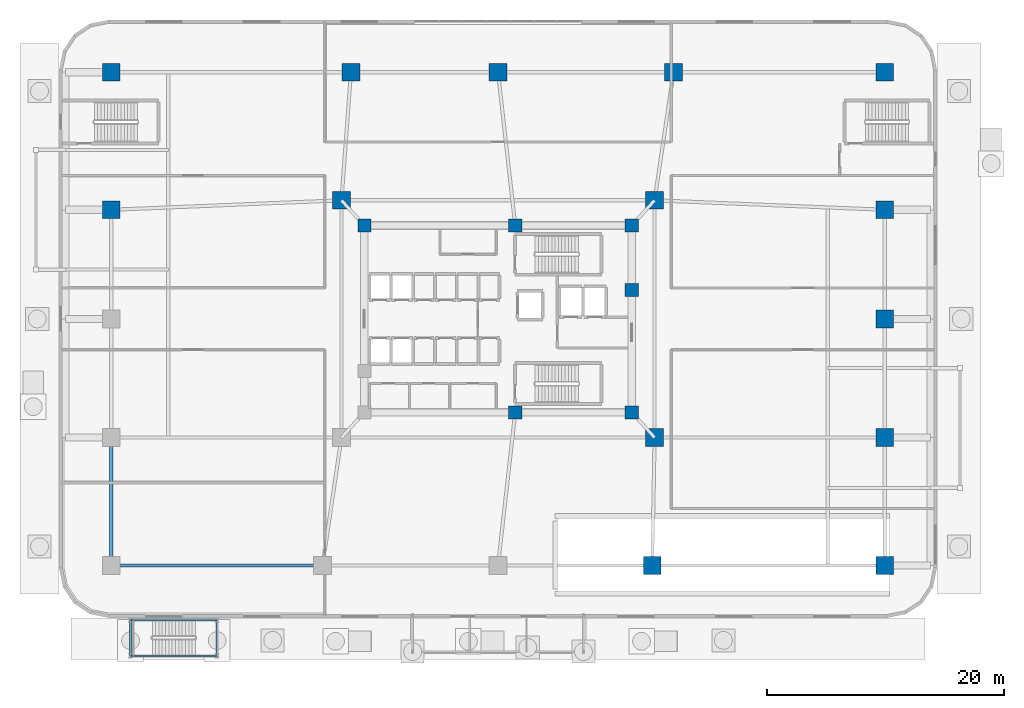
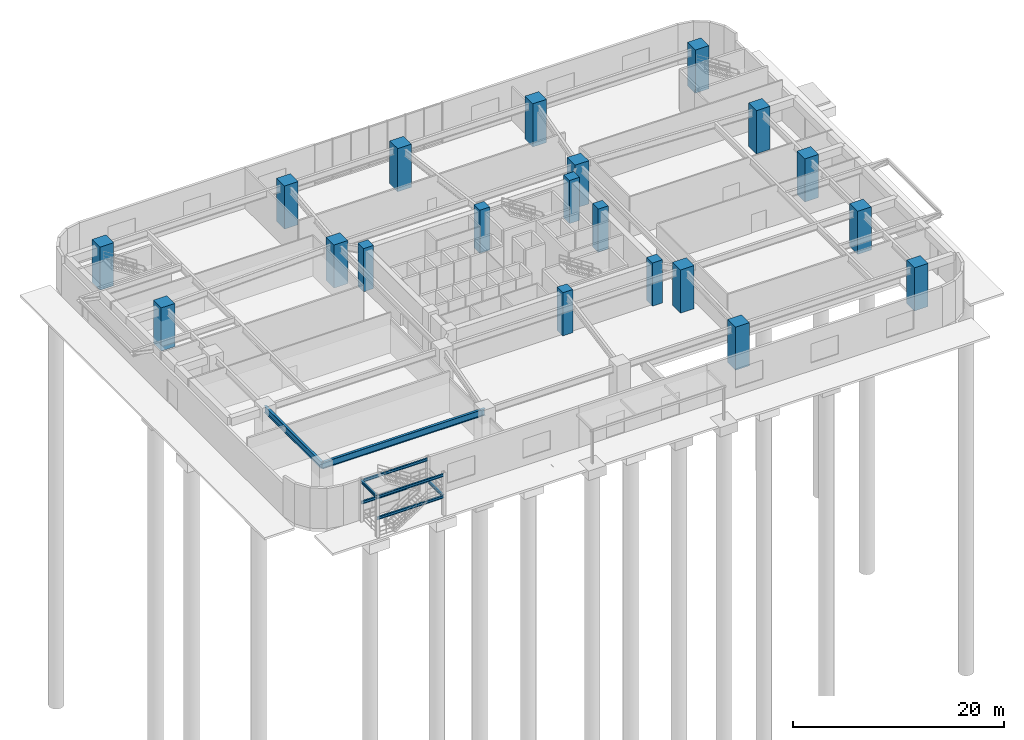
# One storey, part 3 of 18: 20 columns, 8 beams.
"""IFC4 building model written with IfcOpenShell, lengths in metres."""

from ifc_helpers import new_model, si_unit, direction, frame, origin, origin_2d, place, context, subcontext, project, spatial, rectangle, i_section, extrude, material, material_profile, profile_set, type_object, element, save


model = new_model("IFC4")

# Units and contexts
model_context = context("Model", 3, precision=1e-05, world=origin(), true_north=direction((0.0, 1.0)))
body_context = subcontext(model_context, "Body", "Model", "MODEL_VIEW")
ifc_project = project(units=[si_unit("LENGTHUNIT", "METRE"), si_unit("AREAUNIT", "SQUARE_METRE"), si_unit("VOLUMEUNIT", "CUBIC_METRE"), si_unit("PLANEANGLEUNIT", "RADIAN"), si_unit("MASSUNIT", "GRAM", prefix="KILO")], contexts=[model_context])

# Site, building, storey
site_placement = place(None, origin())
site = spatial("IfcSite", under=ifc_project, at=site_placement, CompositionType="ELEMENT")
building_placement = place(site_placement, origin())
building = spatial("IfcBuilding", under=site, at=building_placement, Name="Zulverin Broadcast Headquarters", CompositionType="ELEMENT")
storey_placement = place(building_placement, origin())
storey = spatial("IfcBuildingStorey", under=building, at=storey_placement, Name="L00", CompositionType="ELEMENT", Elevation=0.0)

# Columns
ifc_material_1 = material(Name="Concrete C60/75", Category="concrete")
ifc_material_profile_1 = material_profile(ifc_material_1, rectangle(XDim=1.5, YDim=1.5, at=origin_2d()), Name="Concrete C60/75", Category="concrete")
ifc_profile_set_1 = profile_set([ifc_material_profile_1], Name="Concrete C60/75")
column_type_1 = type_object("IfcColumnType", Name="COL-RC-1500", PredefinedType="COLUMN", material=ifc_profile_set_1)
for number, where, z_axis, x_axis, name in (
    (1, (50.0, 4.39990234375, 0.0), (0.0, 0.0, 1.0), (1.0, 0.0, 0.0), "L00 Podium Mega Column P04"),
    (2, (69.60009765625, 4.39990234375, 0.0), (0.0, 0.0, 1.0), (1.0, 0.0, 0.0), "L00 Podium Mega Column P05"),
    (3, (4.39990234375, 46.0, 0.0), (0.0, 0.0, 1.0), (1.0, 0.0, 0.0), "L00 Podium Mega Column P06"),
    (4, (24.60009765625, 46.0, 0.0), (0.0, 0.0, 1.0), (1.0, 0.0, 0.0), "L00 Podium Mega Column P07"),
    (5, (37.0, 46.0, 0.0), (0.0, 0.0, 1.0), (1.0, 0.0, 0.0), "L00 Podium Mega Column P08"),
    (6, (51.800048828125, 46.0, 0.0), (0.0, 0.0, 1.0), (1.0, 0.0, 0.0), "L00 Podium Mega Column P09"),
    (7, (69.60009765625, 46.0, 0.0), (0.0, 0.0, 1.0), (1.0, 0.0, 0.0), "L00 Podium Mega Column P10"),
    (8, (4.39990234375, 34.39990234375, 0.0), (0.0, 0.0, 1.0), (1.0, 0.0, 0.0), "L00 Podium Mega Column P13"),
    (9, (69.60009765625, 15.199951171875, 0.0), (0.0, 0.0, 1.0), (1.0, 0.0, 0.0), "L00 Podium Mega Column P14"),
    (10, (69.60009765625, 25.199951171875, 0.0), (0.0, 0.0, 1.0), (1.0, 0.0, 0.0), "L00 Podium Mega Column P15"),
    (11, (69.60009765625, 34.39990234375, 0.0), (0.0, 0.0, 1.0), (1.0, 0.0, 0.0), "L00 Podium Mega Column P16"),
    (12, (50.199951171875, 15.199951171875, 0.0), (0.0, 0.0, 1.0), (1.0, 0.0, 0.0), "L00 Podium Mega Column M02"),
    (13, (50.199951171875, 35.199951171875, 0.0), (0.0, 0.0, 1.0), (1.0, 0.0, 0.0), "L00 Podium Mega Column M03"),
    (14, (23.800048828125, 35.199951171875, 0.0), (0.0, 0.0, 1.0), (1.0, 0.0, 0.0), "L00 Podium Mega Column M04"),
):
    element("IfcColumn", number, at=place(storey_placement, frame(where, z_axis=z_axis, x_axis=x_axis)), inside=storey, type_object=column_type_1, Name=name, PredefinedType="COLUMN", context=body_context, shape_type="SweptSolid", body=[
        extrude(rectangle(XDim=1.5, YDim=1.5, at=origin_2d()), origin(), (0.0, 0.0, 1.0), 5.0),
    ])
ifc_material_profile_2 = material_profile(ifc_material_1, rectangle(XDim=1.10009765625, YDim=1.10009765625, at=origin_2d()), Name="Concrete C60/75", Category="concrete")
ifc_profile_set_2 = profile_set([ifc_material_profile_2], Name="Concrete C60/75")
column_type_2 = type_object("IfcColumnType", Name="PIL-RC-1100", PredefinedType="PILASTER", material=ifc_profile_set_2)
for number, where, z_axis, x_axis, name in (
    (15, (38.449951171875, 17.324951171875, 0.0), (0.0, 0.0, 1.0), (1.0, 0.0, 0.0), "L00 Core Pilaster K02"),
    (16, (48.27490234375, 17.324951171875, 0.0), (0.0, 0.0, 1.0), (1.0, 0.0, 0.0), "L00 Core Pilaster K03"),
    (17, (48.27490234375, 27.6201171875, 0.0), (0.0, 0.0, 1.0), (1.0, 0.0, 0.0), "L00 Core Pilaster K04"),
    (18, (48.27490234375, 33.074951171875, 0.0), (0.0, 0.0, 1.0), (1.0, 0.0, 0.0), "L00 Core Pilaster K05"),
    (19, (38.449951171875, 33.074951171875, 0.0), (0.0, 0.0, 1.0), (1.0, 0.0, 0.0), "L00 Core Pilaster K06"),
    (20, (25.72509765625, 33.074951171875, 0.0), (0.0, 0.0, 1.0), (1.0, 0.0, 0.0), "L00 Core Pilaster K07"),
):
    element("IfcColumn", number, at=place(storey_placement, frame(where, z_axis=z_axis, x_axis=x_axis)), inside=storey, type_object=column_type_2, Name=name, PredefinedType="PILASTER", context=body_context, shape_type="SweptSolid", body=[
        extrude(rectangle(XDim=1.10009765625, YDim=1.10009765625, at=origin_2d()), origin(), (0.0, 0.0, 1.0), 5.0),
    ])

# Beams
ifc_material_2 = material(Name="Structural steel S355JR", Category="steel")
ifc_material_profile_3 = material_profile(ifc_material_2, i_section(OverallWidth=0.1669921875, OverallDepth=0.310302734375, WebThickness=0.0078125, FlangeThickness=0.013671875, at=origin_2d()), Name="Structural steel S355JR", Category="steel")
ifc_profile_set_3 = profile_set([ifc_material_profile_3], Name="Structural steel S355JR")
beam_type_1 = type_object("IfcBeamType", Name="BM-UB-305", PredefinedType="SPANDREL", material=ifc_profile_set_3)
beam_1_placement = place(storey_placement, frame((13.320068359375, -3.199951171875, 2.144775390625), z_axis=(0.0, 1.0, 0.0), x_axis=(-1.0, 0.0, 0.0)))
element("IfcBeam", 21, at=beam_1_placement, inside=storey, type_object=beam_type_1, Name="L00 Garden Stair Half-Landing Beam E", PredefinedType="SPANDREL", context=body_context, shape_type="SweptSolid", body=[
    extrude(i_section(OverallWidth=0.1669921875, OverallDepth=0.310302734375, WebThickness=0.0078125, FlangeThickness=0.013671875, at=origin_2d()), origin(), (0.0, 0.0, 1.0), 3.0),
])
for number, where, z_axis, x_axis, name in (
    (22, (6.02001953125, -3.199951171875, 2.144775390625), (1.0, 0.0, 0.0), (0.0, 1.0, 0.0), "L00 Garden Stair Half-Landing Stringer S"),
    (23, (6.02001953125, -0.199951171875, 2.144775390625), (1.0, 0.0, 0.0), (0.0, 1.0, 0.0), "L00 Garden Stair Half-Landing Stringer N"),
):
    element("IfcBeam", number, at=place(storey_placement, frame(where, z_axis=z_axis, x_axis=x_axis)), inside=storey, type_object=beam_type_1, Name=name, PredefinedType="SPANDREL", context=body_context, shape_type="SweptSolid", body=[
        extrude(i_section(OverallWidth=0.1669921875, OverallDepth=0.310302734375, WebThickness=0.0078125, FlangeThickness=0.013671875, at=origin_2d()), origin(), (0.0, 0.0, 1.0), 7.300048828125),
    ])
beam_2_placement = place(storey_placement, frame((6.02001953125, -3.199951171875, 4.644775390625), z_axis=(0.0, 1.0, 0.0), x_axis=(-1.0, 0.0, 0.0)))
element("IfcBeam", 24, at=beam_2_placement, inside=storey, type_object=beam_type_1, Name="L00 Garden Stair Floor-Landing Beam W", PredefinedType="SPANDREL", context=body_context, shape_type="SweptSolid", body=[
    extrude(i_section(OverallWidth=0.1669921875, OverallDepth=0.310302734375, WebThickness=0.0078125, FlangeThickness=0.013671875, at=origin_2d()), origin(), (0.0, 0.0, 1.0), 3.0),
])
for number, where, z_axis, x_axis, name in (
    (25, (6.02001953125, -3.199951171875, 4.644775390625), (1.0, 0.0, 0.0), (0.0, 1.0, 0.0), "L00 Garden Stair Upper Stringer S"),
    (26, (6.02001953125, -0.199951171875, 4.644775390625), (1.0, 0.0, 0.0), (0.0, 1.0, 0.0), "L00 Garden Stair Upper Stringer N"),
):
    element("IfcBeam", number, at=place(storey_placement, frame(where, z_axis=z_axis, x_axis=x_axis)), inside=storey, type_object=beam_type_1, Name=name, PredefinedType="SPANDREL", context=body_context, shape_type="SweptSolid", body=[
        extrude(i_section(OverallWidth=0.1669921875, OverallDepth=0.310302734375, WebThickness=0.0078125, FlangeThickness=0.013671875, at=origin_2d()), origin(), (0.0, 0.0, 1.0), 7.300048828125),
    ])
ifc_material_profile_4 = material_profile(ifc_material_2, i_section(OverallWidth=0.26806640625, OverallDepth=0.769775390625, WebThickness=0.015625, FlangeThickness=0.025390625, at=origin_2d()), Name="Structural steel S355JR", Category="steel")
ifc_profile_set_4 = profile_set([ifc_material_profile_4], Name="Structural steel S355JR")
beam_type_2 = type_object("IfcBeamType", Name="BM-UB-762", PredefinedType="BEAM", material=ifc_profile_set_4)
beam_3_placement = place(storey_placement, frame((4.39990234375, 4.39990234375, 4.275146484375), z_axis=(1.0, 0.0, 0.0), x_axis=(0.0, 1.0, 0.0)))
element("IfcBeam", 27, at=beam_3_placement, inside=storey, type_object=beam_type_2, Name="L00 Podium Primary Girder P01-P02", PredefinedType="BEAM", context=body_context, shape_type="SweptSolid", body=[
    extrude(i_section(OverallWidth=0.26806640625, OverallDepth=0.769775390625, WebThickness=0.015625, FlangeThickness=0.025390625, at=origin_2d()), origin(), (0.0, 0.0, 1.0), 17.800048828125),
])
beam_4_placement = place(storey_placement, frame((4.39990234375, 15.199951171875, 4.275146484375), z_axis=(0.0, -1.0, 0.0), x_axis=(1.0, 0.0, 0.0)))
element("IfcBeam", 28, at=beam_4_placement, inside=storey, type_object=beam_type_2, Name="L00 Podium Primary Girder P11-P01", PredefinedType="BEAM", context=body_context, shape_type="SweptSolid", body=[
    extrude(i_section(OverallWidth=0.26806640625, OverallDepth=0.769775390625, WebThickness=0.015625, FlangeThickness=0.025390625, at=origin_2d()), origin(), (0.0, 0.0, 1.0), 10.800048828125),
])

save(model, "model.ifc")
